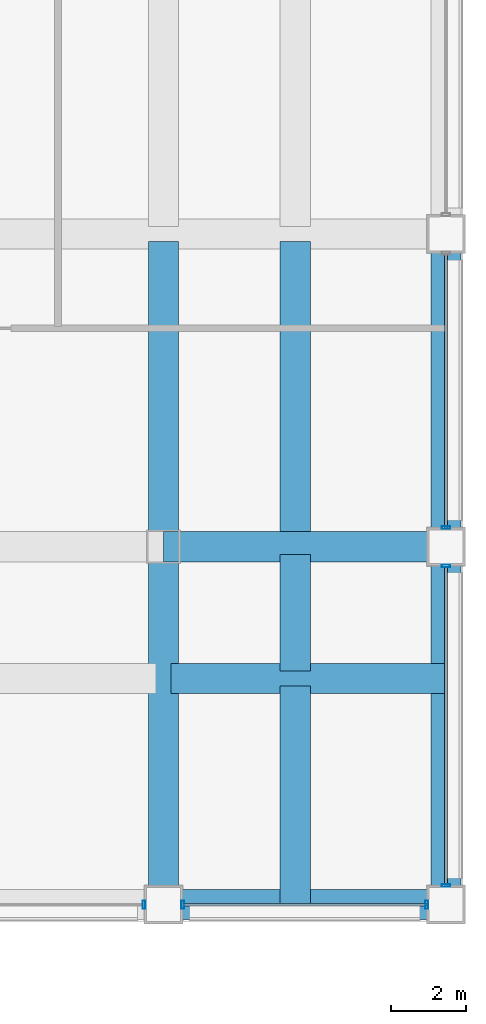
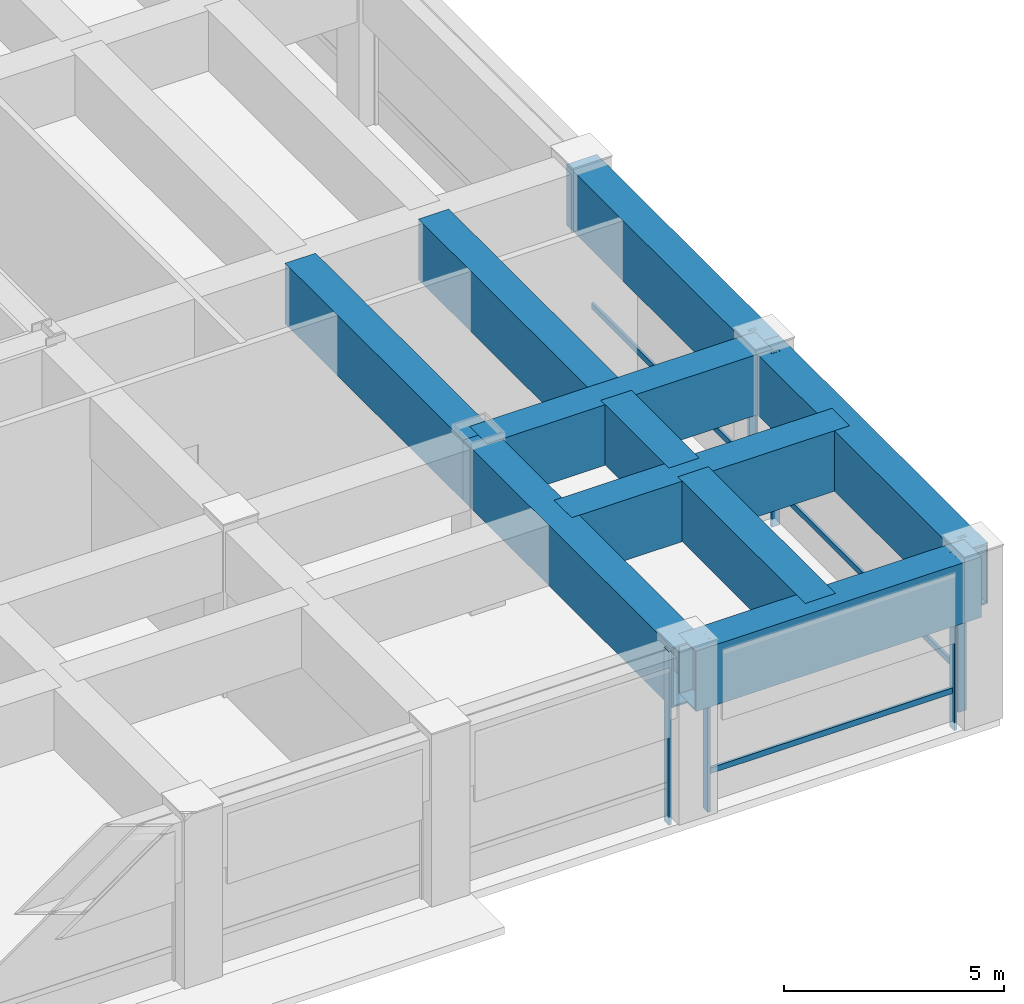
# One storey, part 11 of 30: 10 beams, 9 members, 4 elements without a shape of their own.
"""IFC4 building model written with IfcOpenShell, lengths in metres."""

from ifc_helpers import new_model, si_unit, direction, frame, origin, origin_2d, place, context, subcontext, project, spatial, hollow_rectangle, extrude, material, layer, layer_set, material_profile, profile_set, type_object, element, aggregate, save


model = new_model("IFC4")

# Units and contexts
model_context = context("Model", 3, precision=1e-05, world=origin(), true_north=direction((0.0, 1.0)))
body_context = subcontext(model_context, "Body", "Model", "MODEL_VIEW")
ifc_project = project(units=[si_unit("LENGTHUNIT", "METRE"), si_unit("AREAUNIT", "SQUARE_METRE"), si_unit("VOLUMEUNIT", "CUBIC_METRE"), si_unit("PLANEANGLEUNIT", "RADIAN"), si_unit("MASSUNIT", "GRAM", prefix="KILO")], contexts=[model_context])

# Site, building, storey
site_placement = place(None, origin())
site = spatial("IfcSite", under=ifc_project, at=site_placement, CompositionType="ELEMENT")
building_placement = place(site_placement, origin())
building = spatial("IfcBuilding", under=site, at=building_placement, Name="Brelmoor Portico Tower", CompositionType="ELEMENT")
storey_placement = place(building_placement, frame((0.0, 0.0, 19.199951171875)))
storey = spatial("IfcBuildingStorey", under=building, at=storey_placement, Name="L04", CompositionType="ELEMENT", Elevation=19.199951171875)

# Beams
ifc_material_1 = material(Name="Steel Q355B", Category="steel")
ifc_material_profile_1 = material_profile(ifc_material_1, hollow_rectangle(XDim=0.800048828125, YDim=1.679931640625, WallThickness=0.044921875, at=origin_2d()), Name="BOX 800x1680x45")
ifc_profile_set_1 = profile_set([ifc_material_profile_1], Name="Steel Q355B")
beam_type = type_object("IfcBeamType", Name="BM-TG-Z1", PredefinedType="BEAM", material=ifc_profile_set_1)
beam_1_placement = place(storey_placement, frame((21.050048828125, -27.550048828125, 3.760009765625), z_axis=(1.0, 0.0, 0.0), x_axis=(0.0, 1.0, 0.0)))
element("IfcBeam", 1, at=beam_1_placement, inside=storey, type_object=beam_type, Name="L04 Perimeter Transfer Beam SP-07", PredefinedType="BEAM", context=body_context, shape_type="SweptSolid", body=[
    extrude(hollow_rectangle(XDim=0.800048828125, YDim=1.679931640625, WallThickness=0.044921875, at=origin_2d()), origin(), (0.0, 0.0, 1.0), 7.5),
])
beam_2_placement = place(storey_placement, frame((28.550048828125, -27.550048828125, 3.760009765625), z_axis=(0.0, 1.0, 0.0), x_axis=(-1.0, 0.0, 0.0)))
element("IfcBeam", 2, at=beam_2_placement, inside=storey, type_object=beam_type, Name="L04 Perimeter Transfer Beam SP-21", PredefinedType="BEAM", context=body_context, shape_type="SweptSolid", body=[
    extrude(hollow_rectangle(XDim=0.800048828125, YDim=1.679931640625, WallThickness=0.044921875, at=origin_2d()), origin(), (0.0, 0.0, 1.0), 9.5),
])
beam_3_placement = place(storey_placement, frame((28.550048828125, -18.050048828125, 3.760009765625), z_axis=(0.0, 1.0, 0.0), x_axis=(-1.0, 0.0, 0.0)))
element("IfcBeam", 3, at=beam_3_placement, inside=storey, type_object=beam_type, Name="L04 Perimeter Transfer Beam SP-22", PredefinedType="BEAM", context=body_context, shape_type="SweptSolid", body=[
    extrude(hollow_rectangle(XDim=0.800048828125, YDim=1.679931640625, WallThickness=0.044921875, at=origin_2d()), origin(), (0.0, 0.0, 1.0), 8.300048828125),
])
beam_4_placement = place(storey_placement, frame((21.050048828125, -27.550048828125, 3.760009765625), z_axis=(0.0, 1.0, 0.0), x_axis=(-1.0, 0.0, 0.0)))
element("IfcBeam", 4, at=beam_4_placement, inside=storey, type_object=beam_type, Name="L04 Setback Transfer Girder PG-19", PredefinedType="BEAM", context=body_context, shape_type="SweptSolid", body=[
    extrude(hollow_rectangle(XDim=0.800048828125, YDim=1.679931640625, WallThickness=0.044921875, at=origin_2d()), origin(), (0.0, 0.0, 1.0), 9.5),
])
beam_5_placement = place(storey_placement, frame((21.050048828125, -18.050048828125, 3.760009765625), z_axis=(1.0, 0.0, 0.0), x_axis=(0.0, 1.0, 0.0)))
element("IfcBeam", 5, at=beam_5_placement, inside=storey, type_object=beam_type, Name="L04 Setback Transfer Girder PG-24", PredefinedType="BEAM", context=body_context, shape_type="SweptSolid", body=[
    extrude(hollow_rectangle(XDim=0.800048828125, YDim=1.679931640625, WallThickness=0.044921875, at=origin_2d()), origin(), (0.0, 0.0, 1.0), 7.5),
])
beam_6_placement = place(storey_placement, frame((21.25, -21.550048828125, 3.760009765625), z_axis=(1.0, 0.0, 0.0), x_axis=(0.0, 1.0, 0.0)))
element("IfcBeam", 6, at=beam_6_placement, inside=storey, type_object=beam_type, Name="L04 Setback Transfer Girder TGN-07", PredefinedType="BEAM", context=body_context, shape_type="SweptSolid", body=[
    extrude(hollow_rectangle(XDim=0.800048828125, YDim=1.679931640625, WallThickness=0.044921875, at=origin_2d()), origin(), (0.0, 0.0, 1.0), 7.300048828125),
])
beam_7_placement = place(storey_placement, frame((21.050048828125, -18.050048828125, 3.760009765625), z_axis=(0.0, 1.0, 0.0), x_axis=(-1.0, 0.0, 0.0)))
element("IfcBeam", 7, at=beam_7_placement, inside=storey, type_object=beam_type, Name="L04 Setback Transfer Girder TGN-34", PredefinedType="BEAM", context=body_context, shape_type="SweptSolid", body=[
    extrude(hollow_rectangle(XDim=0.800048828125, YDim=1.679931640625, WallThickness=0.044921875, at=origin_2d()), origin(), (0.0, 0.0, 1.0), 8.10009765625),
])
beam_8_placement = place(storey_placement, frame((24.550048828125, -27.550048828125, 3.760009765625), z_axis=(0.0, 1.0, 0.0), x_axis=(-1.0, 0.0, 0.0)))
element("IfcBeam", 8, at=beam_8_placement, inside=storey, type_object=beam_type, Name="L04 Setback Transfer Girder TGN-47", PredefinedType="BEAM", context=body_context, shape_type="SweptSolid", body=[
    extrude(hollow_rectangle(XDim=0.800048828125, YDim=1.679931640625, WallThickness=0.044921875, at=origin_2d()), origin(), (0.0, 0.0, 1.0), 5.800048828125),
])
beam_9_placement = place(storey_placement, frame((24.550048828125, -21.35009765625, 3.760009765625), z_axis=(0.0, 1.0, 0.0), x_axis=(-1.0, 0.0, 0.0)))
element("IfcBeam", 9, at=beam_9_placement, inside=storey, type_object=beam_type, Name="L04 Setback Transfer Girder TGN-48", PredefinedType="BEAM", context=body_context, shape_type="SweptSolid", body=[
    extrude(hollow_rectangle(XDim=0.800048828125, YDim=1.679931640625, WallThickness=0.044921875, at=origin_2d()), origin(), (0.0, 0.0, 1.0), 3.10009765625),
])
beam_10_placement = place(storey_placement, frame((24.550048828125, -17.85009765625, 3.760009765625), z_axis=(0.0, 1.0, 0.0), x_axis=(-1.0, 0.0, 0.0)))
element("IfcBeam", 10, at=beam_10_placement, inside=storey, type_object=beam_type, Name="L04 Setback Transfer Girder TGN-49", PredefinedType="BEAM", context=body_context, shape_type="SweptSolid", body=[
    extrude(hollow_rectangle(XDim=0.800048828125, YDim=1.679931640625, WallThickness=0.044921875, at=origin_2d()), origin(), (0.0, 0.0, 1.0), 7.900146484375),
])

# Curtain wall, member
ifc_material_2 = material(Name="Anodised Aluminium Alloy 6063-T6", Category="aluminium")
ifc_layer = layer(ifc_material_2, 0.179931640625)
ifc_layer_set = layer_set([ifc_layer], Name="Anodised Aluminium Alloy 6063-T6")
curtain_wall_type = type_object("IfcCurtainWallType", Name="CW-PODIUM-ARCH", PredefinedType="NOTDEFINED", material=ifc_layer_set)
curtain_wall_1_placement = place(storey_placement, origin())
curtain_wall_1 = element("IfcCurtainWall", 11, at=curtain_wall_1_placement, inside=storey, type_object=curtain_wall_type, Name="L04 Curtain Wall CW-L04-01-6", PredefinedType="NOTDEFINED")
ifc_material_profile_2 = material_profile(ifc_material_2, hollow_rectangle(XDim=0.074951171875, YDim=0.219970703125, WallThickness=0.0048828125, at=origin_2d()), Name="ALU MULLION 75x220")
ifc_profile_set_2 = profile_set([ifc_material_profile_2], Name="Anodised Aluminium Alloy 6063-T6")
member_type_1 = type_object("IfcMemberType", Name="MB-CW-MULL-220", PredefinedType="MULLION", material=ifc_profile_set_2)
member_1_placement = place(storey_placement, frame((20.5400390625, -27.550048828125, -0.219970703125), z_axis=(0.0, 0.0, 1.0), x_axis=(1.0, 0.0, 0.0)))
member_1 = element("IfcMember", 12, at=member_1_placement, type_object=member_type_1, Name="CW-L04-01-6 Mullion 01", PredefinedType="MULLION", context=body_context, shape_type="SweptSolid", body=[
    extrude(hollow_rectangle(XDim=0.074951171875, YDim=0.219970703125, WallThickness=0.0048828125, at=origin_2d()), origin(), (0.0, 0.0, 1.0), 4.820068359375),
])
aggregate(curtain_wall_1, [member_1])

# Curtain wall, members
curtain_wall_2_placement = place(storey_placement, origin())
curtain_wall_2 = element("IfcCurtainWall", 13, at=curtain_wall_2_placement, inside=storey, type_object=curtain_wall_type, Name="L04 Curtain Wall CW-L04-01-7", PredefinedType="NOTDEFINED")
member_2_placement = place(storey_placement, frame((21.56005859375, -27.550048828125, -0.219970703125), z_axis=(0.0, 0.0, 1.0), x_axis=(1.0, 0.0, 0.0)))
member_2 = element("IfcMember", 14, at=member_2_placement, type_object=member_type_1, Name="CW-L04-01-7 Mullion 00", PredefinedType="MULLION", context=body_context, shape_type="SweptSolid", body=[
    extrude(hollow_rectangle(XDim=0.074951171875, YDim=0.219970703125, WallThickness=0.0048828125, at=origin_2d()), origin(), (0.0, 0.0, 1.0), 4.820068359375),
])
member_3_placement = place(storey_placement, frame((28.0400390625, -27.550048828125, -0.219970703125), z_axis=(0.0, 0.0, 1.0), x_axis=(1.0, 0.0, 0.0)))
member_3 = element("IfcMember", 15, at=member_3_placement, type_object=member_type_1, Name="CW-L04-01-7 Mullion 01", PredefinedType="MULLION", context=body_context, shape_type="SweptSolid", body=[
    extrude(hollow_rectangle(XDim=0.074951171875, YDim=0.219970703125, WallThickness=0.0048828125, at=origin_2d()), origin(), (0.0, 0.0, 1.0), 4.820068359375),
])

curtain_wall_3_placement = place(storey_placement, origin())
curtain_wall_3 = element("IfcCurtainWall", 16, at=curtain_wall_3_placement, inside=storey, type_object=curtain_wall_type, Name="L04 Curtain Wall CW-L04-04-1", PredefinedType="NOTDEFINED")
member_4_placement = place(storey_placement, frame((28.550048828125, -27.0400390625, -0.219970703125), z_axis=(0.0, 0.0, 1.0), x_axis=(0.0, 1.0, 0.0)))
member_4 = element("IfcMember", 17, at=member_4_placement, type_object=member_type_1, Name="CW-L04-04-1 Mullion 00", PredefinedType="MULLION", context=body_context, shape_type="SweptSolid", body=[
    extrude(hollow_rectangle(XDim=0.074951171875, YDim=0.219970703125, WallThickness=0.0048828125, at=origin_2d()), origin(), (0.0, 0.0, 1.0), 4.820068359375),
])
member_5_placement = place(storey_placement, frame((28.550048828125, -18.56005859375, -0.219970703125), z_axis=(0.0, 0.0, 1.0), x_axis=(0.0, 1.0, 0.0)))
member_5 = element("IfcMember", 18, at=member_5_placement, type_object=member_type_1, Name="CW-L04-04-1 Mullion 01", PredefinedType="MULLION", context=body_context, shape_type="SweptSolid", body=[
    extrude(hollow_rectangle(XDim=0.074951171875, YDim=0.219970703125, WallThickness=0.0048828125, at=origin_2d()), origin(), (0.0, 0.0, 1.0), 4.820068359375),
])

# Curtain wall, member
curtain_wall_4_placement = place(storey_placement, origin())
curtain_wall_4 = element("IfcCurtainWall", 19, at=curtain_wall_4_placement, inside=storey, type_object=curtain_wall_type, Name="L04 Curtain Wall CW-L04-04-2", PredefinedType="NOTDEFINED")
member_6_placement = place(storey_placement, frame((28.550048828125, -17.5400390625, -0.219970703125), z_axis=(0.0, 0.0, 1.0), x_axis=(0.0, 1.0, 0.0)))
member_6 = element("IfcMember", 20, at=member_6_placement, type_object=member_type_1, Name="CW-L04-04-2 Mullion 00", PredefinedType="MULLION", context=body_context, shape_type="SweptSolid", body=[
    extrude(hollow_rectangle(XDim=0.074951171875, YDim=0.219970703125, WallThickness=0.0048828125, at=origin_2d()), origin(), (0.0, 0.0, 1.0), 4.820068359375),
])

# Member
ifc_material_profile_3 = material_profile(ifc_material_2, hollow_rectangle(XDim=0.070068359375, YDim=0.159912109375, WallThickness=0.00390625, at=origin_2d()), Name="ALU TRANSOM 70x160")
ifc_profile_set_3 = profile_set([ifc_material_profile_3], Name="Anodised Aluminium Alloy 6063-T6")
member_type_2 = type_object("IfcMemberType", Name="MB-CW-TRAN-160", PredefinedType="USERDEFINED", material=ifc_profile_set_3)
member_7_placement = place(storey_placement, frame((21.56005859375, -27.550048828125, 0.85009765625), z_axis=(1.0, 0.0, 0.0), x_axis=(0.0, 1.0, 0.0)))
member_7 = element("IfcMember", 21, at=member_7_placement, type_object=member_type_2, Name="CW-L04-01-7 Transom 1-00", ObjectType="TRANSOM", PredefinedType="USERDEFINED", context=body_context, shape_type="SweptSolid", body=[
    extrude(hollow_rectangle(XDim=0.070068359375, YDim=0.159912109375, WallThickness=0.00390625, at=origin_2d()), origin(), (0.0, 0.0, 1.0), 6.47998046875),
])

aggregate(curtain_wall_2, [member_2, member_3, member_7])

member_8_placement = place(storey_placement, frame((28.550048828125, -27.0400390625, 0.85009765625), z_axis=(0.0, 1.0, 0.0), x_axis=(-1.0, 0.0, 0.0)))
member_8 = element("IfcMember", 22, at=member_8_placement, type_object=member_type_2, Name="CW-L04-04-1 Transom 1-00", ObjectType="TRANSOM", PredefinedType="USERDEFINED", context=body_context, shape_type="SweptSolid", body=[
    extrude(hollow_rectangle(XDim=0.070068359375, YDim=0.159912109375, WallThickness=0.00390625, at=origin_2d()), origin(), (0.0, 0.0, 1.0), 8.47998046875),
])

aggregate(curtain_wall_3, [member_4, member_5, member_8])

member_9_placement = place(storey_placement, frame((28.550048828125, -17.5400390625, 0.85009765625), z_axis=(0.0, 1.0, 0.0), x_axis=(-1.0, 0.0, 0.0)))
member_9 = element("IfcMember", 23, at=member_9_placement, type_object=member_type_2, Name="CW-L04-04-2 Transom 1-00", ObjectType="TRANSOM", PredefinedType="USERDEFINED", context=body_context, shape_type="SweptSolid", body=[
    extrude(hollow_rectangle(XDim=0.070068359375, YDim=0.159912109375, WallThickness=0.00390625, at=origin_2d()), origin(), (0.0, 0.0, 1.0), 7.280029296875),
])

aggregate(curtain_wall_4, [member_6, member_9])

save(model, "model.ifc")
